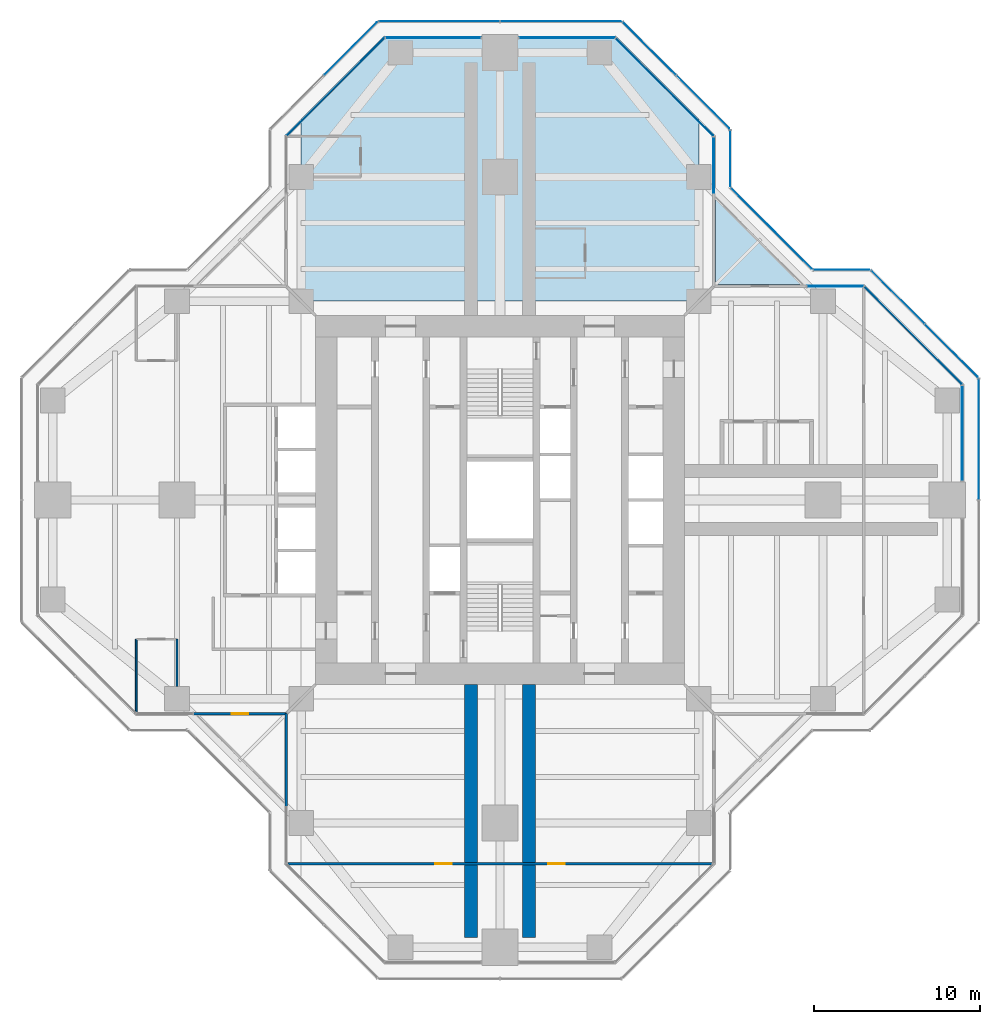
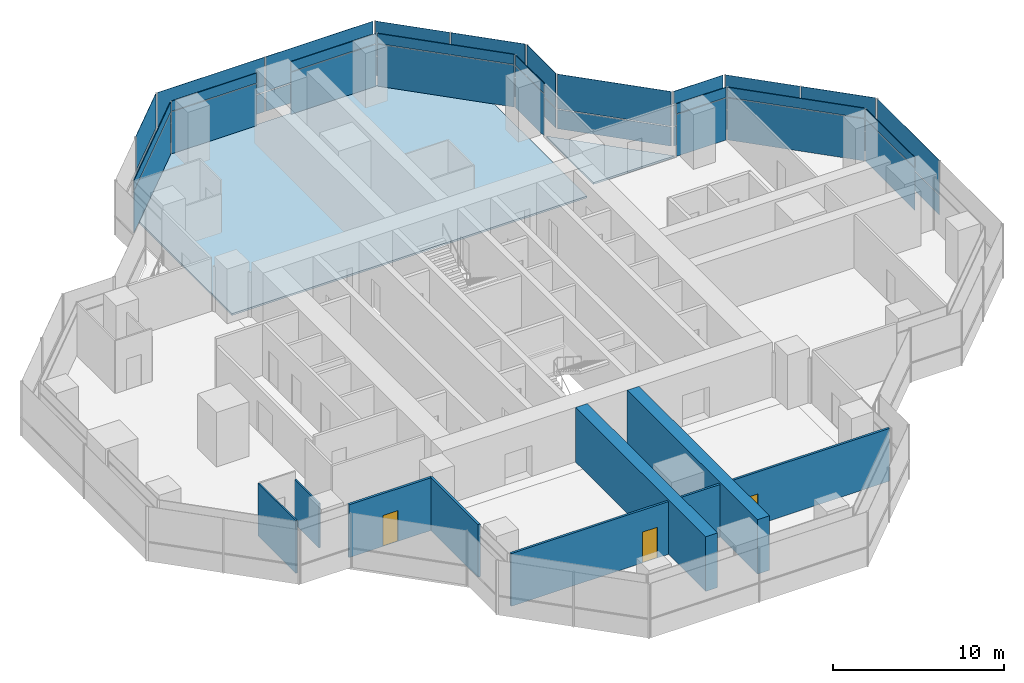
# One storey, part 12 of 17: 38 plates, 7 walls, 3 doors, 2 slabs, 3 openings, 16 elements without a shape of their own.
"""IFC4 building model written with IfcOpenShell, lengths in metres."""

from ifc_helpers import new_model, si_unit, direction, frame, frame_2d, origin, origin_2d, place, context, subcontext, project, spatial, polyline, rectangle, outline, extrude, material, layer, layer_set, type_object, element, fill, aggregate, save


model = new_model("IFC4")

# Units and contexts
model_context = context("Model", 3, precision=1e-05, world=origin(), true_north=direction((0.0, 1.0)))
body_context = subcontext(model_context, "Body", "Model", "MODEL_VIEW")
ifc_project = project(units=[si_unit("LENGTHUNIT", "METRE"), si_unit("AREAUNIT", "SQUARE_METRE"), si_unit("VOLUMEUNIT", "CUBIC_METRE"), si_unit("PLANEANGLEUNIT", "RADIAN"), si_unit("MASSUNIT", "GRAM", prefix="KILO")], contexts=[model_context])

# Site, building, storey
site_placement = place(None, origin())
site = spatial("IfcSite", under=ifc_project, at=site_placement, CompositionType="ELEMENT")
building_placement = place(site_placement, origin())
building = spatial("IfcBuilding", under=site, at=building_placement, Name="Mizan Broadcast Tower", CompositionType="ELEMENT")
storey_placement = place(building_placement, frame((0.0, 0.0, 212.699951171875)))
storey = spatial("IfcBuildingStorey", under=building, at=storey_placement, Name="L49", CompositionType="ELEMENT", Elevation=212.699951171875)

# Slab
ifc_material_1 = material(Name="Concrete C32/40", Category="concrete")
ifc_layer_1 = layer(ifc_material_1, 0.1298828125)
ifc_layer_set_1 = layer_set([ifc_layer_1], Name="Concrete C32/40")
slab_type_1 = type_object("IfcSlabType", Name="COMPOSITE DECK SLAB 130", PredefinedType="FLOOR", material=ifc_layer_set_1)
slab_1_placement = place(storey_placement, frame((0.0, 0.0, -0.1298828125)))
element("IfcSlab", 1, at=slab_1_placement, inside=storey, type_object=slab_type_1, Name="Floor slab L49 north arm", PredefinedType="FLOOR", context=body_context, shape_type="SweptSolid", body=[
    extrude(outline(polyline([(-7.0, 28.0), (-12.0, 23.0), (-12.0, 12.0), (12.0, 12.0), (12.0, 23.0), (7.0, 28.0), (-7.0, 28.0)])), origin(), (0.0, 0.0, 1.0), 0.1298828125),
])

# Curtain wall, plate
ifc_material_2 = material(Name="Aluminium framed glazing", Category="aluminium")
curtain_wall_type_1 = type_object("IfcCurtainWallType", Name="INNER SKIN HIGH ZONE", PredefinedType="USERDEFINED", material=ifc_material_2)
curtain_wall_1_placement = place(storey_placement, origin())
curtain_wall_1 = element("IfcCurtainWall", 2, at=curtain_wall_1_placement, inside=storey, type_object=curtain_wall_type_1, Name="Inner skin high zone L49 E end", ObjectType="INNER SKIN HIGH ZONE", PredefinedType="USERDEFINED")
ifc_material_3 = material(Name="Double glazing, clear low-e", Category="glass")
ifc_layer_2 = layer(ifc_material_3, 0.028076171875)
ifc_layer_set_2 = layer_set([ifc_layer_2], Name="Double glazing, clear low-e")
plate_type_1 = type_object("IfcPlateType", Name="INNER SKIN GLAZING UNIT", PredefinedType="CURTAIN_PANEL", material=ifc_layer_set_2)
plate_1_placement = place(storey_placement, frame((27.89990234375, 4.029296875, 0.0), z_axis=(0.0, 0.0, 1.0), x_axis=(0.0, 1.0, 0.0)))
plate_1 = element("IfcPlate", 3, at=plate_1_placement, type_object=plate_type_1, Name="Inner skin high zone L49 E end panel 1.1", PredefinedType="CURTAIN_PANEL", context=body_context, shape_type="SweptSolid", body=[
    extrude(rectangle(XDim=5.738525390625, YDim=0.028076171875, at=origin_2d()), origin(), (0.0, 0.0, 1.0), 3.0),
])

curtain_wall_2_placement = place(storey_placement, origin())
curtain_wall_2 = element("IfcCurtainWall", 4, at=curtain_wall_2_placement, inside=storey, type_object=curtain_wall_type_1, Name="Inner skin high zone L49 E chamfer", ObjectType="INNER SKIN HIGH ZONE", PredefinedType="USERDEFINED")
plate_2_placement = place(storey_placement, frame((24.92919921875, 9.92919921875, 0.0), z_axis=(0.0, 0.0, 1.0), x_axis=(-0.707106781187, 0.707106781187, 0.0)))
plate_2 = element("IfcPlate", 5, at=plate_2_placement, type_object=plate_type_1, Name="Inner skin high zone L49 E chamfer panel 1.1", PredefinedType="CURTAIN_PANEL", context=body_context, shape_type="SweptSolid", body=[
    extrude(rectangle(XDim=8.282470703125, YDim=0.028076171875, at=origin_2d()), origin(), (0.0, 0.0, 1.0), 3.0),
])

curtain_wall_3_placement = place(storey_placement, origin())
curtain_wall_3 = element("IfcCurtainWall", 6, at=curtain_wall_3_placement, inside=storey, type_object=curtain_wall_type_1, Name="Inner skin high zone L49 E side", ObjectType="INNER SKIN HIGH ZONE", PredefinedType="USERDEFINED")
plate_3_placement = place(storey_placement, frame((20.229248046875, 12.89990234375, 0.0), z_axis=(0.0, 0.0, 1.0), x_axis=(-1.0, 0.0, 0.0)))
plate_3 = element("IfcPlate", 7, at=plate_3_placement, type_object=plate_type_1, Name="Inner skin high zone L49 E side panel 1.1", PredefinedType="CURTAIN_PANEL", context=body_context, shape_type="SweptSolid", body=[
    extrude(rectangle(XDim=3.338623046875, YDim=0.028076171875, at=origin_2d()), origin(), (0.0, 0.0, 1.0), 3.0),
])

curtain_wall_4_placement = place(storey_placement, origin())
curtain_wall_4 = element("IfcCurtainWall", 8, at=curtain_wall_4_placement, inside=storey, type_object=curtain_wall_type_1, Name="Inner skin high zone L49 N side", ObjectType="INNER SKIN HIGH ZONE", PredefinedType="USERDEFINED")
plate_4_placement = place(storey_placement, frame((12.89990234375, 20.229248046875, 0.0), z_axis=(0.0, 0.0, 1.0), x_axis=(0.0, 1.0, 0.0)))
plate_4 = element("IfcPlate", 9, at=plate_4_placement, type_object=plate_type_1, Name="Inner skin high zone L49 N side panel 1.1", PredefinedType="CURTAIN_PANEL", context=body_context, shape_type="SweptSolid", body=[
    extrude(rectangle(XDim=3.338623046875, YDim=0.028076171875, at=origin_2d()), origin(), (0.0, 0.0, 1.0), 3.0),
])

curtain_wall_5_placement = place(storey_placement, origin())
curtain_wall_5 = element("IfcCurtainWall", 10, at=curtain_wall_5_placement, inside=storey, type_object=curtain_wall_type_1, Name="Inner skin high zone L49 N chamfer", ObjectType="INNER SKIN HIGH ZONE", PredefinedType="USERDEFINED")
plate_5_placement = place(storey_placement, frame((9.92919921875, 24.92919921875, 0.0), z_axis=(0.0, 0.0, 1.0), x_axis=(-0.707106781187, 0.707106781187, 0.0)))
plate_5 = element("IfcPlate", 11, at=plate_5_placement, type_object=plate_type_1, Name="Inner skin high zone L49 N chamfer panel 1.1", PredefinedType="CURTAIN_PANEL", context=body_context, shape_type="SweptSolid", body=[
    extrude(rectangle(XDim=8.282470703125, YDim=0.028076171875, at=origin_2d()), origin(), (0.0, 0.0, 1.0), 3.0),
])

curtain_wall_6_placement = place(storey_placement, origin())
curtain_wall_6 = element("IfcCurtainWall", 12, at=curtain_wall_6_placement, inside=storey, type_object=curtain_wall_type_1, Name="Inner skin high zone L49 N end", ObjectType="INNER SKIN HIGH ZONE", PredefinedType="USERDEFINED")
plate_6_placement = place(storey_placement, frame((4.029296875, 27.89990234375, 0.0), z_axis=(0.0, 0.0, 1.0), x_axis=(-1.0, 0.0, 0.0)))
plate_6 = element("IfcPlate", 13, at=plate_6_placement, type_object=plate_type_1, Name="Inner skin high zone L49 N end panel 1.1", PredefinedType="CURTAIN_PANEL", context=body_context, shape_type="SweptSolid", body=[
    extrude(rectangle(XDim=5.738525390625, YDim=0.028076171875, at=origin_2d()), origin(), (0.0, 0.0, 1.0), 3.0),
])

curtain_wall_7_placement = place(storey_placement, origin())
curtain_wall_7 = element("IfcCurtainWall", 14, at=curtain_wall_7_placement, inside=storey, type_object=curtain_wall_type_1, Name="Inner skin high zone L49 N end", ObjectType="INNER SKIN HIGH ZONE", PredefinedType="USERDEFINED")
plate_7_placement = place(storey_placement, frame((-4.029296875, 27.89990234375, 0.0), z_axis=(0.0, 0.0, 1.0), x_axis=(-1.0, 0.0, 0.0)))
plate_7 = element("IfcPlate", 15, at=plate_7_placement, type_object=plate_type_1, Name="Inner skin high zone L49 N end panel 1.1", PredefinedType="CURTAIN_PANEL", context=body_context, shape_type="SweptSolid", body=[
    extrude(rectangle(XDim=5.738525390625, YDim=0.028076171875, at=origin_2d()), origin(), (0.0, 0.0, 1.0), 3.0),
])

curtain_wall_8_placement = place(storey_placement, origin())
curtain_wall_8 = element("IfcCurtainWall", 16, at=curtain_wall_8_placement, inside=storey, type_object=curtain_wall_type_1, Name="Inner skin high zone L49 N chamfer", ObjectType="INNER SKIN HIGH ZONE", PredefinedType="USERDEFINED")
plate_8_placement = place(storey_placement, frame((-9.92919921875, 24.92919921875, 0.0), z_axis=(0.0, 0.0, 1.0), x_axis=(-0.707106781187, -0.707106781187, 0.0)))
plate_8 = element("IfcPlate", 17, at=plate_8_placement, type_object=plate_type_1, Name="Inner skin high zone L49 N chamfer panel 1.1", PredefinedType="CURTAIN_PANEL", context=body_context, shape_type="SweptSolid", body=[
    extrude(rectangle(XDim=8.282470703125, YDim=0.028076171875, at=origin_2d()), origin(), (0.0, 0.0, 1.0), 3.0),
])

# Plate
ifc_material_4 = material(Name="Insulated aluminium spandrel panel, pale anodised", Category="aluminium")
ifc_layer_3 = layer(ifc_material_4, 0.050048828125)
ifc_layer_set_3 = layer_set([ifc_layer_3], Name="Insulated aluminium spandrel panel, pale anodised")
plate_type_2 = type_object("IfcPlateType", Name="INNER SKIN SPANDREL PANEL", PredefinedType="CURTAIN_PANEL", material=ifc_layer_set_3)
plate_9_placement = place(storey_placement, frame((27.89990234375, 4.029296875, 3.06005859375), z_axis=(0.0, 0.0, 1.0), x_axis=(0.0, 1.0, 0.0)))
plate_9 = element("IfcPlate", 18, at=plate_9_placement, type_object=plate_type_2, Name="Inner skin high zone L49 E end panel 1.2", PredefinedType="CURTAIN_PANEL", context=body_context, shape_type="SweptSolid", body=[
    extrude(rectangle(XDim=5.738525390625, YDim=0.050048828125, at=origin_2d()), origin(), (0.0, 0.0, 1.0), 0.7099609375),
])

aggregate(curtain_wall_1, [plate_1, plate_9])

plate_10_placement = place(storey_placement, frame((24.92919921875, 9.92919921875, 3.06005859375), z_axis=(0.0, 0.0, 1.0), x_axis=(-0.707106781187, 0.707106781187, 0.0)))
plate_10 = element("IfcPlate", 19, at=plate_10_placement, type_object=plate_type_2, Name="Inner skin high zone L49 E chamfer panel 1.2", PredefinedType="CURTAIN_PANEL", context=body_context, shape_type="SweptSolid", body=[
    extrude(rectangle(XDim=8.282470703125, YDim=0.050048828125, at=origin_2d()), origin(), (0.0, 0.0, 1.0), 0.7099609375),
])

aggregate(curtain_wall_2, [plate_2, plate_10])

plate_11_placement = place(storey_placement, frame((20.229248046875, 12.89990234375, 3.06005859375), z_axis=(0.0, 0.0, 1.0), x_axis=(-1.0, 0.0, 0.0)))
plate_11 = element("IfcPlate", 20, at=plate_11_placement, type_object=plate_type_2, Name="Inner skin high zone L49 E side panel 1.2", PredefinedType="CURTAIN_PANEL", context=body_context, shape_type="SweptSolid", body=[
    extrude(rectangle(XDim=3.338623046875, YDim=0.050048828125, at=origin_2d()), origin(), (0.0, 0.0, 1.0), 0.7099609375),
])

aggregate(curtain_wall_3, [plate_3, plate_11])

plate_12_placement = place(storey_placement, frame((12.89990234375, 20.229248046875, 3.06005859375), z_axis=(0.0, 0.0, 1.0), x_axis=(0.0, 1.0, 0.0)))
plate_12 = element("IfcPlate", 21, at=plate_12_placement, type_object=plate_type_2, Name="Inner skin high zone L49 N side panel 1.2", PredefinedType="CURTAIN_PANEL", context=body_context, shape_type="SweptSolid", body=[
    extrude(rectangle(XDim=3.338623046875, YDim=0.050048828125, at=origin_2d()), origin(), (0.0, 0.0, 1.0), 0.7099609375),
])

aggregate(curtain_wall_4, [plate_4, plate_12])

plate_13_placement = place(storey_placement, frame((9.92919921875, 24.92919921875, 3.06005859375), z_axis=(0.0, 0.0, 1.0), x_axis=(-0.707106781187, 0.707106781187, 0.0)))
plate_13 = element("IfcPlate", 22, at=plate_13_placement, type_object=plate_type_2, Name="Inner skin high zone L49 N chamfer panel 1.2", PredefinedType="CURTAIN_PANEL", context=body_context, shape_type="SweptSolid", body=[
    extrude(rectangle(XDim=8.282470703125, YDim=0.050048828125, at=origin_2d()), origin(), (0.0, 0.0, 1.0), 0.7099609375),
])

aggregate(curtain_wall_5, [plate_5, plate_13])

plate_14_placement = place(storey_placement, frame((4.029296875, 27.89990234375, 3.06005859375), z_axis=(0.0, 0.0, 1.0), x_axis=(-1.0, 0.0, 0.0)))
plate_14 = element("IfcPlate", 23, at=plate_14_placement, type_object=plate_type_2, Name="Inner skin high zone L49 N end panel 1.2", PredefinedType="CURTAIN_PANEL", context=body_context, shape_type="SweptSolid", body=[
    extrude(rectangle(XDim=5.738525390625, YDim=0.050048828125, at=origin_2d()), origin(), (0.0, 0.0, 1.0), 0.7099609375),
])

aggregate(curtain_wall_6, [plate_6, plate_14])

plate_15_placement = place(storey_placement, frame((-4.029296875, 27.89990234375, 3.06005859375), z_axis=(0.0, 0.0, 1.0), x_axis=(-1.0, 0.0, 0.0)))
plate_15 = element("IfcPlate", 24, at=plate_15_placement, type_object=plate_type_2, Name="Inner skin high zone L49 N end panel 1.2", PredefinedType="CURTAIN_PANEL", context=body_context, shape_type="SweptSolid", body=[
    extrude(rectangle(XDim=5.738525390625, YDim=0.050048828125, at=origin_2d()), origin(), (0.0, 0.0, 1.0), 0.7099609375),
])

aggregate(curtain_wall_7, [plate_7, plate_15])

plate_16_placement = place(storey_placement, frame((-9.92919921875, 24.92919921875, 3.06005859375), z_axis=(0.0, 0.0, 1.0), x_axis=(-0.707106781187, -0.707106781187, 0.0)))
plate_16 = element("IfcPlate", 25, at=plate_16_placement, type_object=plate_type_2, Name="Inner skin high zone L49 N chamfer panel 1.2", PredefinedType="CURTAIN_PANEL", context=body_context, shape_type="SweptSolid", body=[
    extrude(rectangle(XDim=8.282470703125, YDim=0.050048828125, at=origin_2d()), origin(), (0.0, 0.0, 1.0), 0.7099609375),
])

aggregate(curtain_wall_8, [plate_8, plate_16])

# Curtain wall, plates
ifc_material_5 = material(Name="Aluminium framed glazing", Category="aluminium")
curtain_wall_type_2 = type_object("IfcCurtainWallType", Name="OUTER SKIN", PredefinedType="USERDEFINED", material=ifc_material_5)
curtain_wall_9_placement = place(storey_placement, origin())
curtain_wall_9 = element("IfcCurtainWall", 26, at=curtain_wall_9_placement, inside=storey, type_object=curtain_wall_type_2, Name="Outer skin L49 E chamfer", ObjectType="OUTER SKIN", PredefinedType="USERDEFINED")
ifc_material_6 = material(Name="Laminated clear glass", Category="glass")
ifc_layer_4 = layer(ifc_material_6, 0.02001953125)
ifc_layer_set_4 = layer_set([ifc_layer_4], Name="Laminated clear glass")
plate_type_3 = type_object("IfcPlateType", Name="OUTER SKIN CLEAR GLASS", PredefinedType="CURTAIN_PANEL", material=ifc_layer_set_4)
plate_17_placement = place(storey_placement, frame((27.254150390625, 9.018798828125, 0.0), z_axis=(0.0, 0.0, 1.0), x_axis=(-0.707106781187, 0.707106781187, 0.0)))
plate_17 = element("IfcPlate", 27, at=plate_17_placement, type_object=plate_type_3, Name="Outer skin L49 E chamfer panel 1.1", PredefinedType="CURTAIN_PANEL", context=body_context, shape_type="SweptSolid", body=[
    extrude(rectangle(XDim=4.495361328125, YDim=0.02001953125, at=origin_2d()), origin(), (0.0, 0.0, 1.0), 1.3701171875),
])
plate_18_placement = place(storey_placement, frame((27.254150390625, 9.018798828125, 1.43017578125), z_axis=(0.0, 0.0, 1.0), x_axis=(-0.707106781187, 0.707106781187, 0.0)))
plate_18 = element("IfcPlate", 28, at=plate_18_placement, type_object=plate_type_3, Name="Outer skin L49 E chamfer panel 1.2", PredefinedType="CURTAIN_PANEL", context=body_context, shape_type="SweptSolid", body=[
    extrude(rectangle(XDim=4.495361328125, YDim=0.02001953125, at=origin_2d()), origin(), (0.0, 0.0, 1.0), 2.469970703125),
])

curtain_wall_10_placement = place(storey_placement, origin())
curtain_wall_10 = element("IfcCurtainWall", 29, at=curtain_wall_10_placement, inside=storey, type_object=curtain_wall_type_2, Name="Outer skin L49 E side", ObjectType="OUTER SKIN", PredefinedType="USERDEFINED")
plate_19_placement = place(storey_placement, frame((20.622802734375, 13.89990234375, 0.0), z_axis=(0.0, 0.0, 1.0), x_axis=(-1.0, 0.0, 0.0)))
plate_19 = element("IfcPlate", 30, at=plate_19_placement, type_object=plate_type_3, Name="Outer skin L49 E side panel 1.1", PredefinedType="CURTAIN_PANEL", context=body_context, shape_type="SweptSolid", body=[
    extrude(rectangle(XDim=3.340087890625, YDim=0.02001953125, at=origin_2d()), origin(), (0.0, 0.0, 1.0), 1.3701171875),
])
plate_20_placement = place(storey_placement, frame((20.622802734375, 13.89990234375, 1.43017578125), z_axis=(0.0, 0.0, 1.0), x_axis=(-1.0, 0.0, 0.0)))
plate_20 = element("IfcPlate", 31, at=plate_20_placement, type_object=plate_type_3, Name="Outer skin L49 E side panel 1.2", PredefinedType="CURTAIN_PANEL", context=body_context, shape_type="SweptSolid", body=[
    extrude(rectangle(XDim=3.340087890625, YDim=0.02001953125, at=origin_2d()), origin(), (0.0, 0.0, 1.0), 2.469970703125),
])
aggregate(curtain_wall_10, [plate_19, plate_20])

curtain_wall_11_placement = place(storey_placement, origin())
curtain_wall_11 = element("IfcCurtainWall", 32, at=curtain_wall_11_placement, inside=storey, type_object=curtain_wall_type_2, Name="Outer skin L49 E chamfer", ObjectType="OUTER SKIN", PredefinedType="USERDEFINED")
plate_21_placement = place(storey_placement, frame((16.386474609375, 16.386474609375, 0.0), z_axis=(0.0, 0.0, 1.0), x_axis=(-0.707106781187, 0.707106781187, 0.0)))
plate_21 = element("IfcPlate", 33, at=plate_21_placement, type_object=plate_type_3, Name="Outer skin L49 E chamfer panel 1.1", PredefinedType="CURTAIN_PANEL", context=body_context, shape_type="SweptSolid", body=[
    extrude(rectangle(XDim=6.87255859375, YDim=0.02001953125, at=origin_2d()), origin(), (0.0, 0.0, 1.0), 1.3701171875),
])
plate_22_placement = place(storey_placement, frame((16.386474609375, 16.386474609375, 1.43017578125), z_axis=(0.0, 0.0, 1.0), x_axis=(-0.707106781187, 0.707106781187, 0.0)))
plate_22 = element("IfcPlate", 34, at=plate_22_placement, type_object=plate_type_3, Name="Outer skin L49 E chamfer panel 1.2", PredefinedType="CURTAIN_PANEL", context=body_context, shape_type="SweptSolid", body=[
    extrude(rectangle(XDim=6.87255859375, YDim=0.02001953125, at=origin_2d()), origin(), (0.0, 0.0, 1.0), 2.469970703125),
])
aggregate(curtain_wall_11, [plate_21, plate_22])

curtain_wall_12_placement = place(storey_placement, origin())
curtain_wall_12 = element("IfcCurtainWall", 35, at=curtain_wall_12_placement, inside=storey, type_object=curtain_wall_type_2, Name="Outer skin L49 N side", ObjectType="OUTER SKIN", PredefinedType="USERDEFINED")
plate_23_placement = place(storey_placement, frame((13.89990234375, 20.622802734375, 0.0), z_axis=(0.0, 0.0, 1.0), x_axis=(0.0, 1.0, 0.0)))
plate_23 = element("IfcPlate", 36, at=plate_23_placement, type_object=plate_type_3, Name="Outer skin L49 N side panel 1.1", PredefinedType="CURTAIN_PANEL", context=body_context, shape_type="SweptSolid", body=[
    extrude(rectangle(XDim=3.340087890625, YDim=0.02001953125, at=origin_2d()), origin(), (0.0, 0.0, 1.0), 1.3701171875),
])
plate_24_placement = place(storey_placement, frame((13.89990234375, 20.622802734375, 1.43017578125), z_axis=(0.0, 0.0, 1.0), x_axis=(0.0, 1.0, 0.0)))
plate_24 = element("IfcPlate", 37, at=plate_24_placement, type_object=plate_type_3, Name="Outer skin L49 N side panel 1.2", PredefinedType="CURTAIN_PANEL", context=body_context, shape_type="SweptSolid", body=[
    extrude(rectangle(XDim=3.340087890625, YDim=0.02001953125, at=origin_2d()), origin(), (0.0, 0.0, 1.0), 2.469970703125),
])
aggregate(curtain_wall_12, [plate_23, plate_24])

curtain_wall_13_placement = place(storey_placement, origin())
curtain_wall_13 = element("IfcCurtainWall", 38, at=curtain_wall_13_placement, inside=storey, type_object=curtain_wall_type_2, Name="Outer skin L49 N chamfer", ObjectType="OUTER SKIN", PredefinedType="USERDEFINED")
plate_25_placement = place(storey_placement, frame((12.254150390625, 24.018798828125, 0.0), z_axis=(0.0, 0.0, 1.0), x_axis=(-0.707106781187, 0.707106781187, 0.0)))
plate_25 = element("IfcPlate", 39, at=plate_25_placement, type_object=plate_type_3, Name="Outer skin L49 N chamfer panel 1.1", PredefinedType="CURTAIN_PANEL", context=body_context, shape_type="SweptSolid", body=[
    extrude(rectangle(XDim=4.495361328125, YDim=0.02001953125, at=origin_2d()), origin(), (0.0, 0.0, 1.0), 1.3701171875),
])
plate_26_placement = place(storey_placement, frame((12.254150390625, 24.018798828125, 1.43017578125), z_axis=(0.0, 0.0, 1.0), x_axis=(-0.707106781187, 0.707106781187, 0.0)))
plate_26 = element("IfcPlate", 40, at=plate_26_placement, type_object=plate_type_3, Name="Outer skin L49 N chamfer panel 1.2", PredefinedType="CURTAIN_PANEL", context=body_context, shape_type="SweptSolid", body=[
    extrude(rectangle(XDim=4.495361328125, YDim=0.02001953125, at=origin_2d()), origin(), (0.0, 0.0, 1.0), 2.469970703125),
])

curtain_wall_14_placement = place(storey_placement, origin())
curtain_wall_14 = element("IfcCurtainWall", 41, at=curtain_wall_14_placement, inside=storey, type_object=curtain_wall_type_2, Name="Outer skin L49 N end", ObjectType="OUTER SKIN", PredefinedType="USERDEFINED")
plate_27_placement = place(storey_placement, frame((3.66650390625, 28.89990234375, 0.0), z_axis=(0.0, 0.0, 1.0), x_axis=(-1.0, 0.0, 0.0)))
plate_27 = element("IfcPlate", 42, at=plate_27_placement, type_object=plate_type_3, Name="Outer skin L49 N end panel 1.1", PredefinedType="CURTAIN_PANEL", context=body_context, shape_type="SweptSolid", body=[
    extrude(rectangle(XDim=7.252685546875, YDim=0.02001953125, at=origin_2d()), origin(), (0.0, 0.0, 1.0), 1.3701171875),
])
plate_28_placement = place(storey_placement, frame((3.66650390625, 28.89990234375, 1.43017578125), z_axis=(0.0, 0.0, 1.0), x_axis=(-1.0, 0.0, 0.0)))
plate_28 = element("IfcPlate", 43, at=plate_28_placement, type_object=plate_type_3, Name="Outer skin L49 N end panel 1.2", PredefinedType="CURTAIN_PANEL", context=body_context, shape_type="SweptSolid", body=[
    extrude(rectangle(XDim=7.252685546875, YDim=0.02001953125, at=origin_2d()), origin(), (0.0, 0.0, 1.0), 2.469970703125),
])
plate_29_placement = place(storey_placement, frame((-3.66650390625, 28.89990234375, 0.0), z_axis=(0.0, 0.0, 1.0), x_axis=(-1.0, 0.0, 0.0)))
plate_29 = element("IfcPlate", 44, at=plate_29_placement, type_object=plate_type_3, Name="Outer skin L49 N end panel 2.1", PredefinedType="CURTAIN_PANEL", context=body_context, shape_type="SweptSolid", body=[
    extrude(rectangle(XDim=7.252685546875, YDim=0.02001953125, at=origin_2d()), origin(), (0.0, 0.0, 1.0), 1.3701171875),
])
plate_30_placement = place(storey_placement, frame((-3.66650390625, 28.89990234375, 1.43017578125), z_axis=(0.0, 0.0, 1.0), x_axis=(-1.0, 0.0, 0.0)))
plate_30 = element("IfcPlate", 45, at=plate_30_placement, type_object=plate_type_3, Name="Outer skin L49 N end panel 2.2", PredefinedType="CURTAIN_PANEL", context=body_context, shape_type="SweptSolid", body=[
    extrude(rectangle(XDim=7.252685546875, YDim=0.02001953125, at=origin_2d()), origin(), (0.0, 0.0, 1.0), 2.469970703125),
])
aggregate(curtain_wall_14, [plate_27, plate_28, plate_29, plate_30])

curtain_wall_15_placement = place(storey_placement, origin())
curtain_wall_15 = element("IfcCurtainWall", 46, at=curtain_wall_15_placement, inside=storey, type_object=curtain_wall_type_2, Name="Outer skin L49 N chamfer", ObjectType="OUTER SKIN", PredefinedType="USERDEFINED")
plate_31_placement = place(storey_placement, frame((-9.018798828125, 27.254150390625, 0.0), z_axis=(0.0, 0.0, 1.0), x_axis=(-0.707106781187, -0.707106781187, 0.0)))
plate_31 = element("IfcPlate", 47, at=plate_31_placement, type_object=plate_type_3, Name="Outer skin L49 N chamfer panel 1.1", PredefinedType="CURTAIN_PANEL", context=body_context, shape_type="SweptSolid", body=[
    extrude(rectangle(XDim=4.495361328125, YDim=0.02001953125, at=origin_2d()), origin(), (0.0, 0.0, 1.0), 1.3701171875),
])
plate_32_placement = place(storey_placement, frame((-9.018798828125, 27.254150390625, 1.43017578125), z_axis=(0.0, 0.0, 1.0), x_axis=(-0.707106781187, -0.707106781187, 0.0)))
plate_32 = element("IfcPlate", 48, at=plate_32_placement, type_object=plate_type_3, Name="Outer skin L49 N chamfer panel 1.2", PredefinedType="CURTAIN_PANEL", context=body_context, shape_type="SweptSolid", body=[
    extrude(rectangle(XDim=4.495361328125, YDim=0.02001953125, at=origin_2d()), origin(), (0.0, 0.0, 1.0), 2.469970703125),
])
aggregate(curtain_wall_15, [plate_31, plate_32])

curtain_wall_16_placement = place(storey_placement, origin())
curtain_wall_16 = element("IfcCurtainWall", 49, at=curtain_wall_16_placement, inside=storey, type_object=curtain_wall_type_2, Name="Outer skin L49 E end", ObjectType="OUTER SKIN", PredefinedType="USERDEFINED")
ifc_material_7 = material(Name="Perforated aluminium, pale anodised", Category="aluminium")
ifc_layer_5 = layer(ifc_material_7, 0.011962890625)
ifc_layer_set_5 = layer_set([ifc_layer_5], Name="Perforated aluminium, pale anodised")
plate_type_4 = type_object("IfcPlateType", Name="OUTER SKIN PERFORATED SCREEN", PredefinedType="USERDEFINED", material=ifc_layer_set_5)
plate_33_placement = place(storey_placement, frame((28.89990234375, 3.66650390625, 0.0), z_axis=(0.0, 0.0, 1.0), x_axis=(0.0, 1.0, 0.0)))
plate_33 = element("IfcPlate", 50, at=plate_33_placement, type_object=plate_type_4, Name="Outer skin L49 E end panel 2.1", ObjectType="SCREEN", PredefinedType="USERDEFINED", context=body_context, shape_type="SweptSolid", body=[
    extrude(rectangle(XDim=7.252685546875, YDim=0.011962890625, at=origin_2d()), origin(), (0.0, 0.0, 1.0), 1.3701171875),
])
plate_34_placement = place(storey_placement, frame((28.89990234375, 3.66650390625, 1.43017578125), z_axis=(0.0, 0.0, 1.0), x_axis=(0.0, 1.0, 0.0)))
plate_34 = element("IfcPlate", 51, at=plate_34_placement, type_object=plate_type_4, Name="Outer skin L49 E end panel 2.2", ObjectType="SCREEN", PredefinedType="USERDEFINED", context=body_context, shape_type="SweptSolid", body=[
    extrude(rectangle(XDim=7.252685546875, YDim=0.011962890625, at=origin_2d()), origin(), (0.0, 0.0, 1.0), 2.469970703125),
])
aggregate(curtain_wall_16, [plate_33, plate_34])

# Plate
plate_35_placement = place(storey_placement, frame((24.018798828125, 12.254150390625, 0.0), z_axis=(0.0, 0.0, 1.0), x_axis=(-0.707106781187, 0.707106781187, 0.0)))
plate_35 = element("IfcPlate", 52, at=plate_35_placement, type_object=plate_type_4, Name="Outer skin L49 E chamfer panel 2.1", ObjectType="SCREEN", PredefinedType="USERDEFINED", context=body_context, shape_type="SweptSolid", body=[
    extrude(rectangle(XDim=4.495361328125, YDim=0.011962890625, at=origin_2d()), origin(), (0.0, 0.0, 1.0), 1.3701171875),
])

plate_36_placement = place(storey_placement, frame((24.018798828125, 12.254150390625, 1.43017578125), z_axis=(0.0, 0.0, 1.0), x_axis=(-0.707106781187, 0.707106781187, 0.0)))
plate_36 = element("IfcPlate", 53, at=plate_36_placement, type_object=plate_type_4, Name="Outer skin L49 E chamfer panel 2.2", ObjectType="SCREEN", PredefinedType="USERDEFINED", context=body_context, shape_type="SweptSolid", body=[
    extrude(rectangle(XDim=4.495361328125, YDim=0.011962890625, at=origin_2d()), origin(), (0.0, 0.0, 1.0), 2.469970703125),
])

aggregate(curtain_wall_9, [plate_17, plate_18, plate_35, plate_36])

plate_37_placement = place(storey_placement, frame((9.018798828125, 27.254150390625, 0.0), z_axis=(0.0, 0.0, 1.0), x_axis=(-0.707106781187, 0.707106781187, 0.0)))
plate_37 = element("IfcPlate", 54, at=plate_37_placement, type_object=plate_type_4, Name="Outer skin L49 N chamfer panel 2.1", ObjectType="SCREEN", PredefinedType="USERDEFINED", context=body_context, shape_type="SweptSolid", body=[
    extrude(rectangle(XDim=4.495361328125, YDim=0.011962890625, at=origin_2d()), origin(), (0.0, 0.0, 1.0), 1.3701171875),
])

plate_38_placement = place(storey_placement, frame((9.018798828125, 27.254150390625, 1.43017578125), z_axis=(0.0, 0.0, 1.0), x_axis=(-0.707106781187, 0.707106781187, 0.0)))
plate_38 = element("IfcPlate", 55, at=plate_38_placement, type_object=plate_type_4, Name="Outer skin L49 N chamfer panel 2.2", ObjectType="SCREEN", PredefinedType="USERDEFINED", context=body_context, shape_type="SweptSolid", body=[
    extrude(rectangle(XDim=4.495361328125, YDim=0.011962890625, at=origin_2d()), origin(), (0.0, 0.0, 1.0), 2.469970703125),
])

aggregate(curtain_wall_13, [plate_25, plate_26, plate_37, plate_38])

# Slab
ifc_material_8 = material(Name="Concrete C32/40", Category="concrete")
ifc_layer_6 = layer(ifc_material_8, 0.1298828125)
ifc_layer_set_6 = layer_set([ifc_layer_6], Name="Concrete C32/40")
slab_type_2 = type_object("IfcSlabType", Name="WINTER GARDEN SLAB 130", PredefinedType="FLOOR", material=ifc_layer_set_6)
slab_2_placement = place(storey_placement, frame((0.0, 0.0, -0.1298828125)))
element("IfcSlab", 56, at=slab_2_placement, inside=storey, type_object=slab_type_2, Name="Winter garden slab L49 E", PredefinedType="FLOOR", context=body_context, shape_type="SweptSolid", body=[
    extrude(outline(polyline([(13.0, 13.0), (18.5, 13.0), (13.0, 18.5), (13.0, 13.0)])), origin(), (0.0, 0.0, 1.0), 0.1298828125),
])

# Wall, opening, door
ifc_material_9 = material(Name="Aluminium framed glazed screen", Category="aluminium")
ifc_layer_7 = layer(ifc_material_9, 0.159912109375)
ifc_layer_set_7 = layer_set([ifc_layer_7], Name="Aluminium framed glazed screen")
wall_type_1 = type_object("IfcWallType", Name="GLAZED SCREEN WALL 160", PredefinedType="SOLIDWALL", material=ifc_layer_set_7)
wall_1_placement = place(storey_placement, frame((-18.5, -12.89990234375, 0.0), z_axis=(0.0, 0.0, 1.0), x_axis=(1.0, 0.0, 0.0)))
wall_1 = element("IfcWall", 57, at=wall_1_placement, inside=storey, type_object=wall_type_1, Name="Winter garden screen L49 W", PredefinedType="SOLIDWALL", context=body_context, shape_type="SweptSolid", body=[
    extrude(rectangle(XDim=5.60009765625, YDim=0.159912109375, at=frame_2d((2.800048828125, 0.0))), origin(), (0.0, 0.0, 1.0), 3.77001953125),
])
opening_1_placement = place(wall_1_placement, frame((2.300048828125, 0.0, 0.0)))
opening_1 = element("IfcOpeningElement", 58, at=opening_1_placement, cuts=wall_1, Name="Opening WGD", PredefinedType="OPENING", context=body_context, shape_type="SweptSolid", body=[
    extrude(rectangle(XDim=1.0, YDim=2.199951171875, at=frame_2d((0.5, 1.10009765625))), frame((0.0, 0.08984375, 0.0), z_axis=(0.0, -1.0, 0.0), x_axis=(1.0, 0.0, 0.0)), (0.0, 0.0, 1.0), 0.179931640625),
])
ifc_material_10 = material(Name="Aluminium framed glazed door", Category="aluminium")
door_type_1 = type_object("IfcDoorType", Name="WINTER GARDEN DOOR 1000 GLAZED", OperationType="SINGLE_SWING_LEFT", PredefinedType="DOOR", material=ifc_material_10)
door_1_placement = place(opening_1_placement, origin())
door_1 = element("IfcDoor", 59, at=door_1_placement, inside=storey, type_object=door_type_1, Name="Winter garden door L49 W", OperationType="SINGLE_SWING_RIGHT", OverallHeight=2.199951171875, OverallWidth=1.0, PredefinedType="DOOR", context=body_context, shape_type="SweptSolid", body=[
    extrude(rectangle(XDim=1.0, YDim=2.199951171875, at=frame_2d((0.5, 1.10009765625))), frame((0.0, 0.02490234375, 0.0), z_axis=(0.0, -1.0, 0.0), x_axis=(1.0, 0.0, 0.0)), (0.0, 0.0, 1.0), 0.050048828125),
])
fill(opening_1, door_1)

# Wall
wall_2_placement = place(storey_placement, frame((-12.89990234375, -12.89990234375, 0.0), z_axis=(0.0, 0.0, 1.0), x_axis=(0.0, -1.0, 0.0)))
element("IfcWall", 60, at=wall_2_placement, inside=storey, type_object=wall_type_1, Name="Winter garden screen L49 S", PredefinedType="SOLIDWALL", context=body_context, shape_type="SweptSolid", body=[
    extrude(rectangle(XDim=5.60009765625, YDim=0.159912109375, at=frame_2d((2.800048828125, 0.0))), origin(), (0.0, 0.0, 1.0), 3.77001953125),
])

# Wall, openings, doors
ifc_material_11 = material(Name="Gypsum board on steel studs", Category="steel")
ifc_layer_8 = layer(ifc_material_11, 0.14990234375)
ifc_layer_set_8 = layer_set([ifc_layer_8], Name="Gypsum board on steel studs")
wall_type_2 = type_object("IfcWallType", Name="PARTITION 150", PredefinedType="PARTITIONING", material=ifc_layer_set_8)
wall_3_placement = place(storey_placement, frame((-12.786376953125, -21.958984375, 0.0), z_axis=(0.0, 0.0, 1.0), x_axis=(1.0, 0.0, 0.0)))
wall_3 = element("IfcWall", 61, at=wall_3_placement, inside=storey, type_object=wall_type_2, Name="Partition PT/SX1", PredefinedType="PARTITIONING", context=body_context, shape_type="SweptSolid", body=[
    extrude(rectangle(XDim=25.57275390625, YDim=0.14990234375, at=frame_2d((12.786376953125, 0.0))), origin(), (0.0, 0.0, 1.0), 3.77001953125),
])
opening_2_placement = place(wall_3_placement, frame((15.6865234375, 0.0, 0.0)))
opening_2 = element("IfcOpeningElement", 62, at=opening_2_placement, cuts=wall_3, Name="Opening D10", PredefinedType="OPENING", context=body_context, shape_type="SweptSolid", body=[
    extrude(rectangle(XDim=1.0, YDim=2.199951171875, at=frame_2d((0.5, 1.10009765625))), frame((0.0, 0.0849609375, 0.0), z_axis=(0.0, -1.0, 0.0), x_axis=(1.0, 0.0, 0.0)), (0.0, 0.0, 1.0), 0.169921875),
])
opening_3_placement = place(wall_3_placement, frame((8.886474609375, 0.0, 0.0)))
opening_3 = element("IfcOpeningElement", 63, at=opening_3_placement, cuts=wall_3, Name="Opening D10", PredefinedType="OPENING", context=body_context, shape_type="SweptSolid", body=[
    extrude(rectangle(XDim=1.0, YDim=2.199951171875, at=frame_2d((0.5, 1.10009765625))), frame((0.0, 0.0849609375, 0.0), z_axis=(0.0, -1.0, 0.0), x_axis=(1.0, 0.0, 0.0)), (0.0, 0.0, 1.0), 0.169921875),
])
ifc_material_12 = material(Name="Timber door leaf in aluminium frame", Category="wood")
door_type_2 = type_object("IfcDoorType", Name="ROOM DOOR 1000", OperationType="SINGLE_SWING_LEFT", PredefinedType="DOOR", material=ifc_material_12)
door_2_placement = place(opening_2_placement, origin())
door_2 = element("IfcDoor", 64, at=door_2_placement, inside=storey, type_object=door_type_2, Name="Music library door", OperationType="SINGLE_SWING_RIGHT", OverallHeight=2.199951171875, OverallWidth=1.0, PredefinedType="DOOR", context=body_context, shape_type="SweptSolid", body=[
    extrude(rectangle(XDim=1.0, YDim=2.199951171875, at=frame_2d((0.5, 1.10009765625))), frame((0.0, 0.02490234375, 0.0), z_axis=(0.0, -1.0, 0.0), x_axis=(1.0, 0.0, 0.0)), (0.0, 0.0, 1.0), 0.050048828125),
])
fill(opening_2, door_2)
door_3_placement = place(opening_3_placement, origin())
door_3 = element("IfcDoor", 65, at=door_3_placement, inside=storey, type_object=door_type_2, Name="Music library door", OperationType="SINGLE_SWING_LEFT", OverallHeight=2.199951171875, OverallWidth=1.0, PredefinedType="DOOR", context=body_context, shape_type="SweptSolid", body=[
    extrude(rectangle(XDim=1.0, YDim=2.199951171875, at=frame_2d((0.5, 1.10009765625))), frame((0.0, 0.02490234375, 0.0), z_axis=(0.0, -1.0, 0.0), x_axis=(1.0, 0.0, 0.0)), (0.0, 0.0, 1.0), 0.050048828125),
])
fill(opening_3, door_3)

# Walls
ifc_material_13 = material(Name="Glazed aluminium partition on aluminium track", Category="aluminium")
ifc_layer_9 = layer(ifc_material_13, 0.10009765625)
ifc_layer_set_9 = layer_set([ifc_layer_9], Name="Glazed aluminium partition on aluminium track")
wall_type_3 = type_object("IfcWallType", Name="PARTITION GLAZED OFFICE FRONT 100", PredefinedType="PARTITIONING", material=ifc_layer_set_9)
wall_4_placement = place(storey_placement, frame((-19.5, -8.39990234375, 0.0), z_axis=(0.0, 0.0, 1.0), x_axis=(0.0, -1.0, 0.0)))
element("IfcWall", 66, at=wall_4_placement, inside=storey, type_object=wall_type_3, Name="Glazed office front PT/WQP1950", PredefinedType="PARTITIONING", context=body_context, shape_type="SweptSolid", body=[
    extrude(rectangle(XDim=2.85009765625, YDim=0.10009765625, at=frame_2d((1.425048828125, 0.0))), origin(), (0.0, 0.0, 1.0), 3.179931640625),
])
wall_5_placement = place(storey_placement, frame((-21.958984375, -8.39990234375, 0.0), z_axis=(0.0, 0.0, 1.0), x_axis=(0.0, -1.0, 0.0)))
element("IfcWall", 67, at=wall_5_placement, inside=storey, type_object=wall_type_3, Name="Glazed office front PT/WQP2196", PredefinedType="PARTITIONING", context=body_context, shape_type="SweptSolid", body=[
    extrude(rectangle(XDim=4.420166015625, YDim=0.10009765625, at=frame_2d((2.2099609375, 0.0))), origin(), (0.0, 0.0, 1.0), 3.77001953125),
])
ifc_material_14 = material(Name="Concrete C70/85", Category="concrete")
ifc_layer_10 = layer(ifc_material_14, 0.800048828125)
ifc_layer_set_10 = layer_set([ifc_layer_10], Name="Concrete C70/85")
wall_type_4 = type_object("IfcWallType", Name="SPINE WALL 800", PredefinedType="SHEAR", material=ifc_layer_set_10)
for number, where, z_axis, x_axis, name in (
    (68, (-1.75, -11.14990234375, 0.0), (0.0, 0.0, 1.0), (0.0, -1.0, 0.0), "Spine wall SR L49"),
    (69, (1.75, -11.14990234375, 0.0), (0.0, 0.0, 1.0), (0.0, -1.0, 0.0), "Spine wall SL L49"),
):
    element("IfcWall", number, at=place(storey_placement, frame(where, z_axis=z_axis, x_axis=x_axis)), inside=storey, type_object=wall_type_4, Name=name, PredefinedType="SHEAR", context=body_context, shape_type="SweptSolid", body=[
        extrude(rectangle(XDim=15.25, YDim=0.800048828125, at=frame_2d((7.625, 0.0))), origin(), (0.0, 0.0, 1.0), 3.900146484375),
    ])

save(model, "model.ifc")
